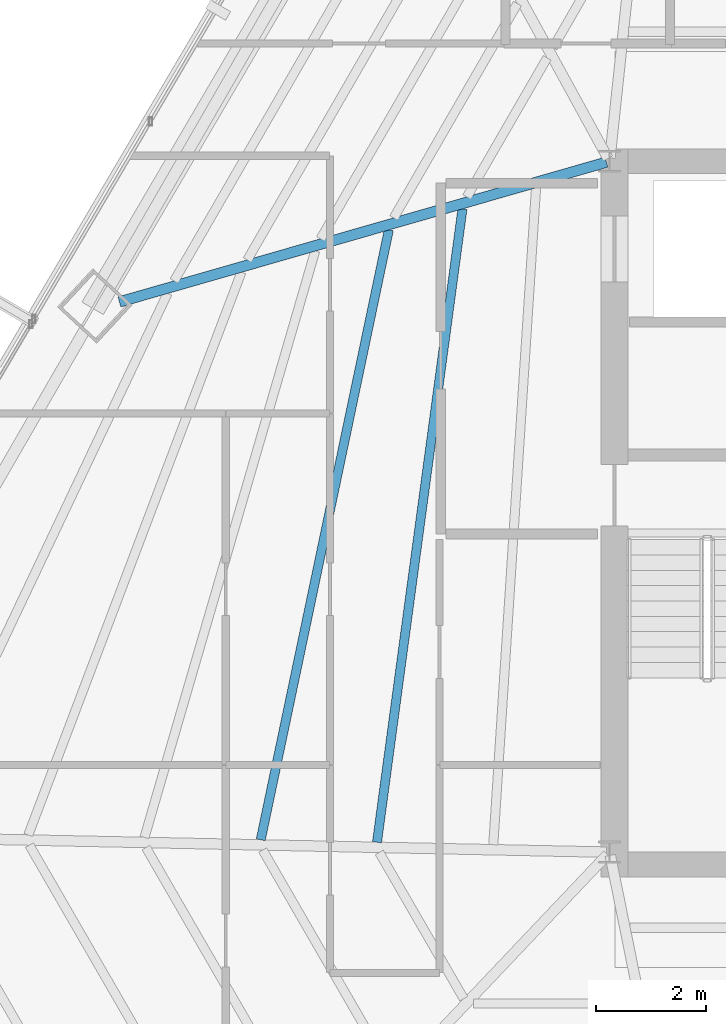
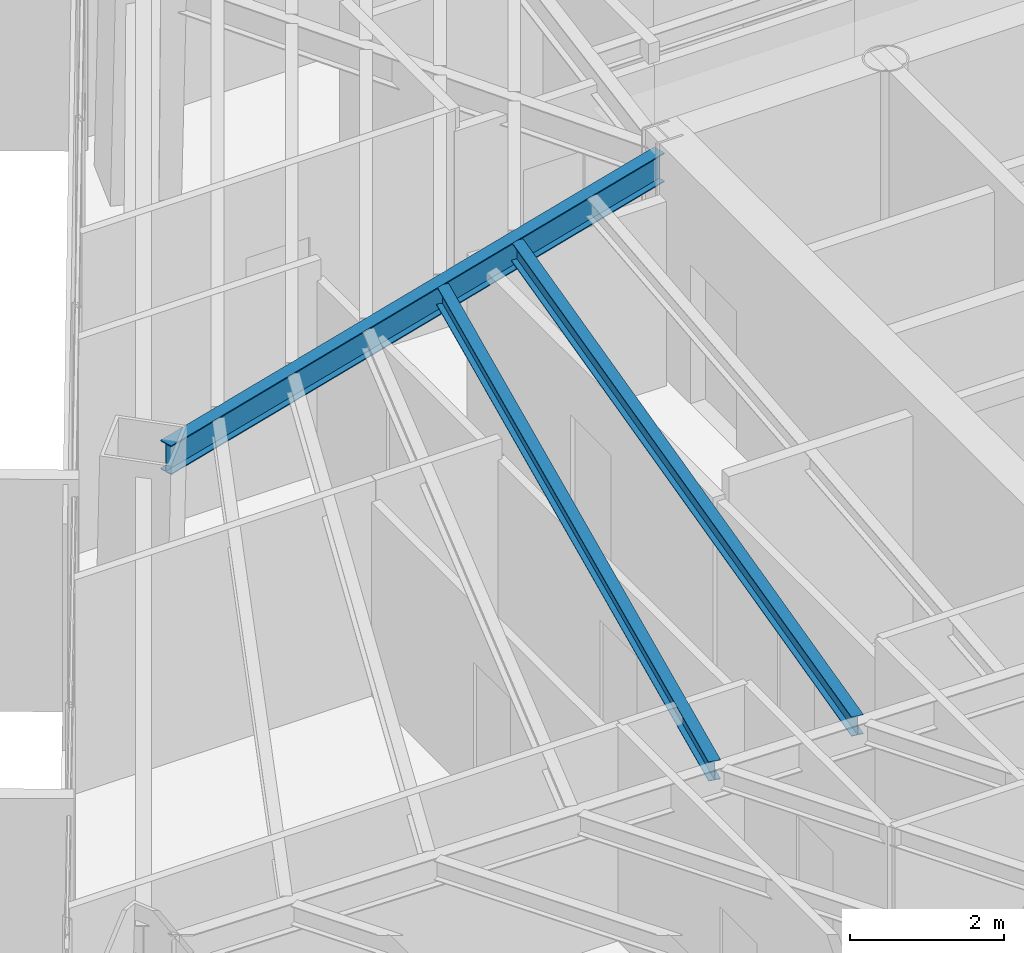
# One storey, part 13 of 41: 3 beams.
"""IFC4 building model written with IfcOpenShell, lengths in metres."""

from ifc_helpers import new_model, si_unit, direction, frame, origin, origin_2d, place, context, subcontext, project, spatial, i_section, extrude, source, transform, mapped, material, material_profile, profile_set, type_object, type_shapes, element, save


model = new_model("IFC4")

# Units and contexts
model_context = context("Model", 3, precision=1e-05, world=origin(), true_north=direction((0.0, 1.0)))
body_context = subcontext(model_context, "Body", "Model", "MODEL_VIEW")
ifc_project = project(units=[si_unit("LENGTHUNIT", "METRE"), si_unit("AREAUNIT", "SQUARE_METRE"), si_unit("VOLUMEUNIT", "CUBIC_METRE"), si_unit("PLANEANGLEUNIT", "RADIAN"), si_unit("MASSUNIT", "GRAM", prefix="KILO")], contexts=[model_context])

# Site, building, storey
site_placement = place(None, origin())
site = spatial("IfcSite", under=ifc_project, at=site_placement, CompositionType="ELEMENT")
building_placement = place(site_placement, origin())
building = spatial("IfcBuilding", under=site, at=building_placement, Name="Caelisora Broadcast Tower", CompositionType="ELEMENT")
storey_placement = place(building_placement, frame((0.0, 0.0, 173.10009765625)))
storey = spatial("IfcBuildingStorey", under=building, at=storey_placement, Name="L45", CompositionType="ELEMENT", Elevation=173.10009765625)

# Beams
ifc_material = material(Name="Steel Grade 350 (AS/NZS 3679.1)", Category="steel")
ifc_material_profile_1 = material_profile(ifc_material, i_section(OverallWidth=0.19091796875, OverallDepth=0.46044921875, WebThickness=0.010009765625, FlangeThickness=0.01611328125, at=origin_2d()), Name="Steel Grade 350 (AS/NZS 3679.1)")
ifc_profile_set_1 = profile_set([ifc_material_profile_1], Name="Steel Grade 350 (AS/NZS 3679.1)")
beam_type_1 = type_object("IfcBeamType", Name="PG06", PredefinedType="BEAM", material=ifc_profile_set_1)
shared_shape_1 = source(origin(), body_context, "Body", "SweptSolid", [
    extrude(i_section(OverallWidth=0.19091796875, OverallDepth=0.46044921875, WebThickness=0.010009765625, FlangeThickness=0.01611328125, at=origin_2d()), origin(), (0.0, 0.0, 1.0), 9.23974609375),
])
type_shapes(beam_type_1, [shared_shape_1])
beam_1_placement = place(storey_placement, frame((30.4423828125, 29.9833984375, 3.169677734375), z_axis=(-0.961207235184, -0.275827212273, 0.0), x_axis=(0.275827212273, -0.961207235184, 0.0)))
element("IfcBeam", 1, at=beam_1_placement, inside=storey, type_object=beam_type_1, Name="L45 beam PG06", PredefinedType="BEAM", context=body_context, shape_type="MappedRepresentation", body=[
    mapped(shared_shape_1, transform((0.0, 0.0, 0.0), scale=1.0)),
])
ifc_material_profile_2 = material_profile(ifc_material, i_section(OverallWidth=0.166015625, OverallDepth=0.30712890625, WebThickness=0.006591796875, FlangeThickness=0.01171875, at=origin_2d()), Name="Steel Grade 350 (AS/NZS 3679.1)")
ifc_profile_set_2 = profile_set([ifc_material_profile_2], Name="Steel Grade 350 (AS/NZS 3679.1)")
beam_type_2 = type_object("IfcBeamType", Name="SB03", PredefinedType="JOIST", material=ifc_profile_set_2)
shared_shape_2 = source(origin(), body_context, "Body", "SweptSolid", [
    extrude(i_section(OverallWidth=0.166015625, OverallDepth=0.30712890625, WebThickness=0.006591796875, FlangeThickness=0.01171875, at=origin_2d()), origin(), (0.0, 0.0, 1.0), 11.656982421875),
])
beam_2_placement = place(storey_placement, frame((27.817138671875, 29.133544921875, 3.246337890625), z_axis=(-0.133726109061, -0.991018328668, 0.0), x_axis=(0.991018328668, -0.133726109061, 0.0)))
element("IfcBeam", 2, at=beam_2_placement, inside=storey, type_object=beam_type_2, Name="L45 beam SB03", PredefinedType="JOIST", context=body_context, shape_type="MappedRepresentation", body=[
    mapped(shared_shape_2, transform((0.0, 0.0, 0.0), scale=1.0)),
])
shared_shape_3 = source(origin(), body_context, "Body", "SweptSolid", [
    extrude(i_section(OverallWidth=0.166015625, OverallDepth=0.30712890625, WebThickness=0.006591796875, FlangeThickness=0.01171875, at=origin_2d()), origin(), (0.0, 0.0, 1.0), 11.365478515625),
])
type_shapes(beam_type_2, [shared_shape_2, shared_shape_3])
beam_3_placement = place(storey_placement, frame((26.474365234375, 28.748291015625, 3.246337890625), z_axis=(-0.205570930749, -0.978642218807, 0.0), x_axis=(0.978642218807, -0.205570930749, 0.0)))
element("IfcBeam", 3, at=beam_3_placement, inside=storey, type_object=beam_type_2, Name="L45 beam SB03", PredefinedType="JOIST", context=body_context, shape_type="MappedRepresentation", body=[
    mapped(shared_shape_3, transform((0.0, 0.0, 0.0), scale=1.0)),
])

save(model, "model.ifc")
